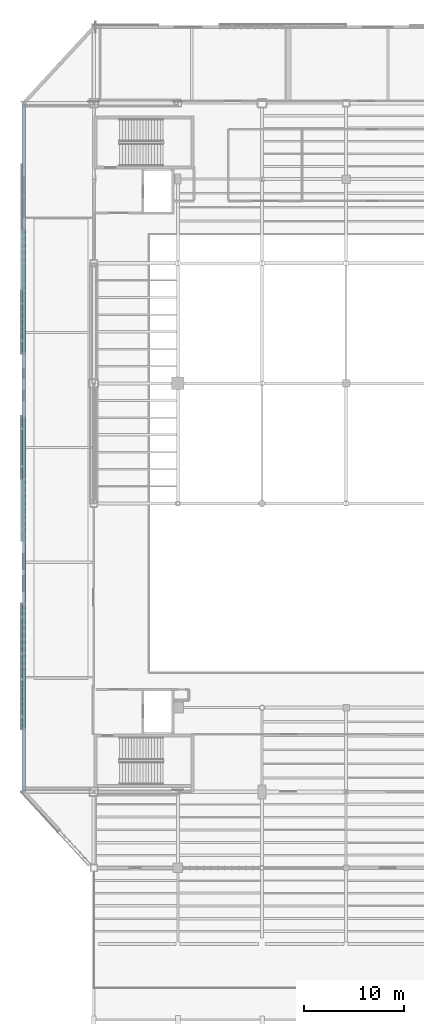
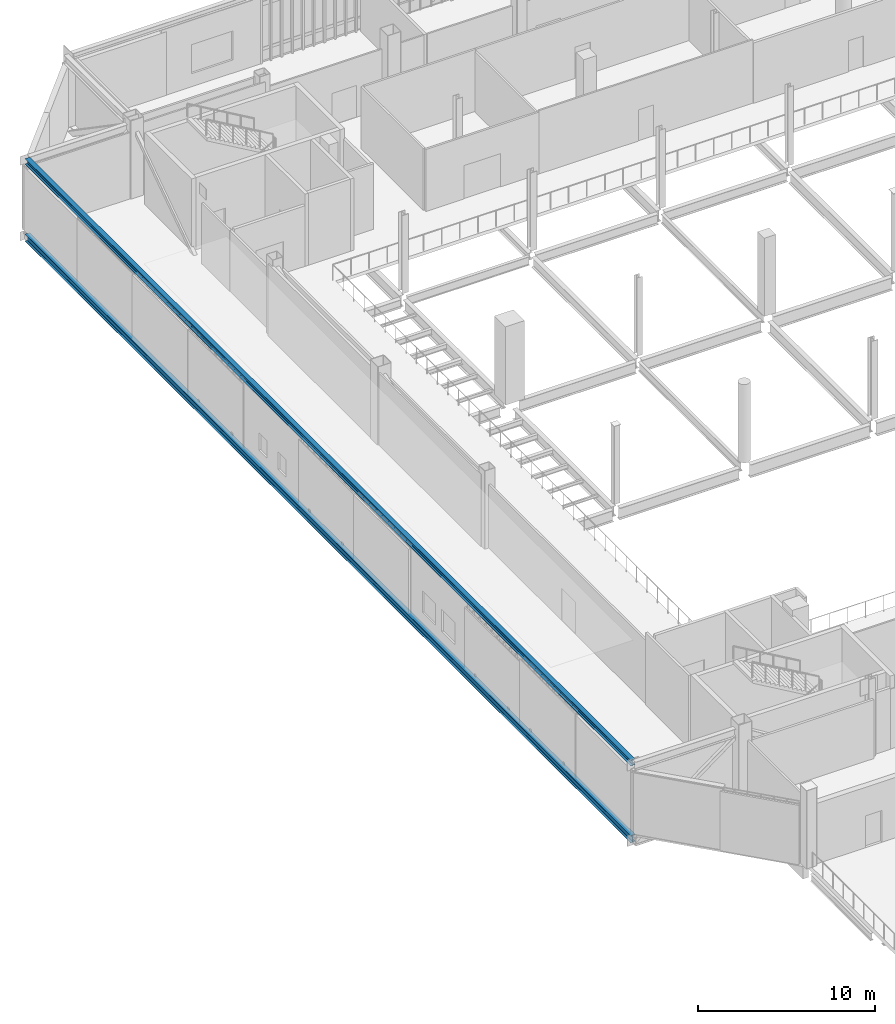
# One storey, part 21 of 127: 2 beams.
"""IFC4 building model written with IfcOpenShell, lengths in metres."""

from ifc_helpers import new_model, si_unit, direction, frame, origin, origin_2d, place, context, subcontext, project, spatial, i_section, extrude, material, material_profile, profile_set, type_object, element, save


model = new_model("IFC4")

# Units and contexts
model_context = context("Model", 3, precision=1e-05, world=origin(), true_north=direction((0.0, 1.0)))
body_context = subcontext(model_context, "Body", "Model", "MODEL_VIEW")
ifc_project = project(units=[si_unit("LENGTHUNIT", "METRE"), si_unit("AREAUNIT", "SQUARE_METRE"), si_unit("VOLUMEUNIT", "CUBIC_METRE"), si_unit("PLANEANGLEUNIT", "RADIAN"), si_unit("MASSUNIT", "GRAM", prefix="KILO")], contexts=[model_context])

# Site, building, storey
site_placement = place(None, origin())
site = spatial("IfcSite", under=ifc_project, at=site_placement, CompositionType="ELEMENT")
building_placement = place(site_placement, origin())
building = spatial("IfcBuilding", under=site, at=building_placement, Name="Larkvane Passage Sports Hall", CompositionType="ELEMENT")
storey_placement = place(building_placement, frame((0.0, 0.0, 5.39990234375)))
storey = spatial("IfcBuildingStorey", under=building, at=storey_placement, Name="L01", CompositionType="ELEMENT", Elevation=5.39990234375)

# Beams
ifc_material = material(Name="Steel S355JR", Category="steel")
ifc_material_profile_1 = material_profile(ifc_material, i_section(OverallWidth=0.300048828125, OverallDepth=0.389892578125, WebThickness=0.010009765625, FlangeThickness=0.01611328125, FilletRadius=0.01806640625, at=origin_2d()), Name="H-390x300x10x16")
ifc_profile_set_1 = profile_set([ifc_material_profile_1], Name="Steel S355JR")
beam_type_1 = type_object("IfcBeamType", Name="BM-STL-H390", PredefinedType="BEAM", material=ifc_profile_set_1)
beam_1_placement = place(storey_placement, frame((27.800048828125, 22.949951171875, 4.78515625), z_axis=(0.0, 1.0, 0.0), x_axis=(-1.0, 0.0, 0.0)))
element("IfcBeam", 1, at=beam_1_placement, inside=storey, type_object=beam_type_1, Name="Cantilever transverse top beam CT-W1A--1", PredefinedType="BEAM", context=body_context, shape_type="SweptSolid", body=[
    extrude(i_section(OverallWidth=0.300048828125, OverallDepth=0.389892578125, WebThickness=0.010009765625, FlangeThickness=0.01611328125, FilletRadius=0.01806640625, at=origin_2d()), origin(), (0.0, 0.0, 1.0), 68.5),
])
ifc_material_profile_2 = material_profile(ifc_material, i_section(OverallWidth=0.300048828125, OverallDepth=0.488037109375, WebThickness=0.010986328125, FlangeThickness=0.01806640625, FilletRadius=0.02197265625, at=origin_2d()), Name="H-488x300x11x18")
ifc_profile_set_2 = profile_set([ifc_material_profile_2], Name="Steel S355JR")
beam_type_2 = type_object("IfcBeamType", Name="BM-STL-H488", PredefinedType="BEAM", material=ifc_profile_set_2)
beam_2_placement = place(storey_placement, frame((27.800048828125, 22.949951171875, -0.473876953125), z_axis=(0.0, 1.0, 0.0), x_axis=(-1.0, 0.0, 0.0)))
element("IfcBeam", 2, at=beam_2_placement, inside=storey, type_object=beam_type_2, Name="Cantilever transverse flr beam CT-W1A--1", PredefinedType="BEAM", context=body_context, shape_type="SweptSolid", body=[
    extrude(i_section(OverallWidth=0.300048828125, OverallDepth=0.488037109375, WebThickness=0.010986328125, FlangeThickness=0.01806640625, FilletRadius=0.02197265625, at=origin_2d()), origin(), (0.0, 0.0, 1.0), 68.5),
])

save(model, "model.ifc")
